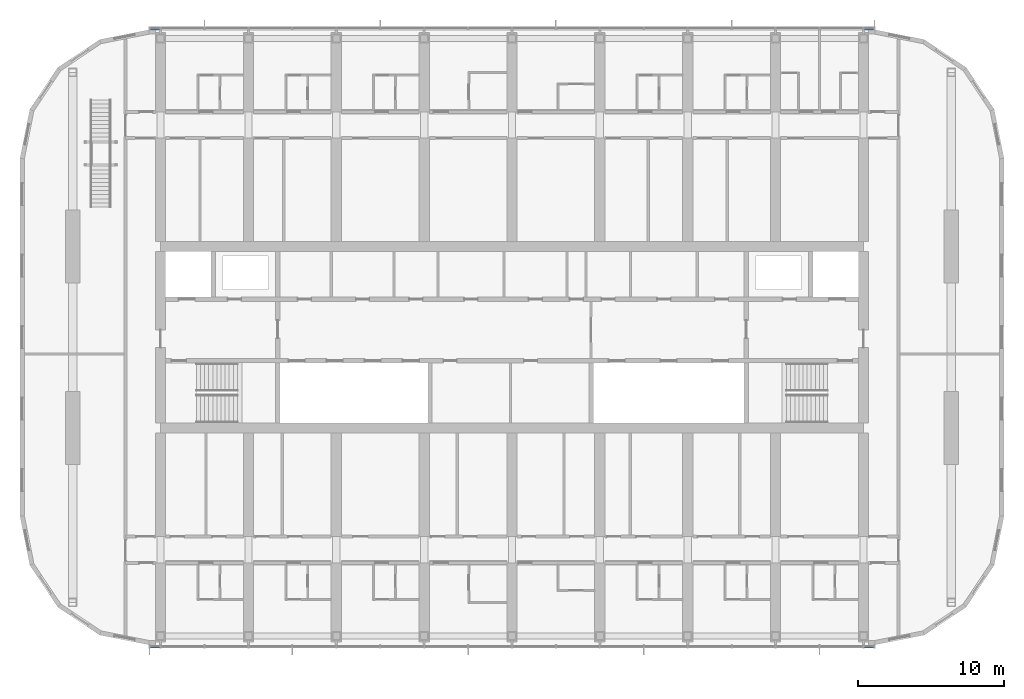
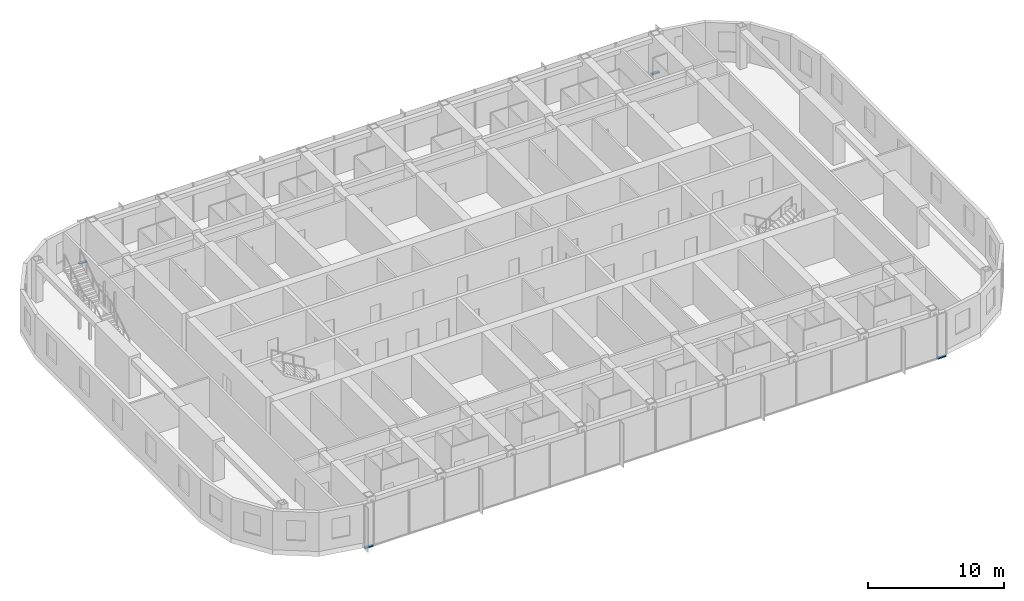
# One storey, part 8 of 27: 4 members, 2 elements without a shape of their own.
"""IFC4 building model written with IfcOpenShell, lengths in metres."""

from ifc_helpers import new_model, si_unit, direction, frame, origin, origin_2d, place, context, subcontext, project, spatial, rectangle, extrude, material, material_profile, profile_set, type_object, element, aggregate, save


model = new_model("IFC4")

# Units and contexts
model_context = context("Model", 3, precision=1e-05, world=origin(), true_north=direction((0.0, 1.0)))
body_context = subcontext(model_context, "Body", "Model", "MODEL_VIEW")
ifc_project = project(units=[si_unit("LENGTHUNIT", "METRE"), si_unit("AREAUNIT", "SQUARE_METRE"), si_unit("VOLUMEUNIT", "CUBIC_METRE"), si_unit("PLANEANGLEUNIT", "RADIAN"), si_unit("MASSUNIT", "GRAM", prefix="KILO")], contexts=[model_context])

# Site, building, storey
site_placement = place(None, origin())
site = spatial("IfcSite", under=ifc_project, at=site_placement, CompositionType="ELEMENT")
building_placement = place(site_placement, origin())
building = spatial("IfcBuilding", under=site, at=building_placement, Name="Orbita Commons", CompositionType="ELEMENT")
storey_placement = place(building_placement, frame((0.0, 0.0, 246.550048828125)))
storey = spatial("IfcBuildingStorey", under=building, at=storey_placement, Name="L61", CompositionType="ELEMENT", Elevation=246.550048828125)

# Curtain wall, members
ifc_material_1 = material(Name="Anodised aluminium frame, pale silver", Category="aluminium")
curtain_wall_type = type_object("IfcCurtainWallType", Name="Unitised curtain wall CW-U, full-height vision", PredefinedType="NOTDEFINED", material=ifc_material_1)
curtain_wall_1_placement = place(storey_placement, origin())
curtain_wall_1 = element("IfcCurtainWall", 1, at=curtain_wall_1_placement, inside=storey, type_object=curtain_wall_type, Name="Curtain wall south L61", PredefinedType="NOTDEFINED")
ifc_material_2 = material(Name="Anodised aluminium, pale silver", Category="aluminium")
ifc_material_profile = material_profile(ifc_material_2, rectangle(XDim=0.219970703125, YDim=0.10009765625, at=origin_2d()), Name="AL 220x100")
ifc_profile_set = profile_set([ifc_material_profile], Name="Anodised aluminium, pale silver")
member_type = type_object("IfcMemberType", Name="Curtain wall stack transom 220x100", PredefinedType="USERDEFINED", material=ifc_profile_set)
member_1_placement = place(storey_placement, frame((17.280029296875, 10.889892578125, -0.400146484375), z_axis=(1.0, 0.0, 0.0), x_axis=(0.0, 1.0, 0.0)))
member_1 = element("IfcMember", 2, at=member_1_placement, type_object=member_type, Name="Transom 1.1 CW-L61-S", ObjectType="TRANSOM", PredefinedType="USERDEFINED", context=body_context, shape_type="SweptSolid", body=[
    extrude(rectangle(XDim=0.219970703125, YDim=0.10009765625, at=origin_2d()), origin(), (0.0, 0.0, 1.0), 0.679931640625),
])
member_2_placement = place(storey_placement, frame((66.0400390625, 10.889892578125, -0.400146484375), z_axis=(1.0, 0.0, 0.0), x_axis=(0.0, 1.0, 0.0)))
member_2 = element("IfcMember", 3, at=member_2_placement, type_object=member_type, Name="Transom 18.1 CW-L61-S", ObjectType="TRANSOM", PredefinedType="USERDEFINED", context=body_context, shape_type="SweptSolid", body=[
    extrude(rectangle(XDim=0.219970703125, YDim=0.10009765625, at=origin_2d()), origin(), (0.0, 0.0, 1.0), 0.679931640625),
])
aggregate(curtain_wall_1, [member_1, member_2])

curtain_wall_2_placement = place(storey_placement, origin())
curtain_wall_2 = element("IfcCurtainWall", 4, at=curtain_wall_2_placement, inside=storey, type_object=curtain_wall_type, Name="Curtain wall north L61", PredefinedType="NOTDEFINED")
member_3_placement = place(storey_placement, frame((66.719970703125, 53.110107421875, -0.400146484375), z_axis=(-1.0, 0.0, 0.0), x_axis=(0.0, -1.0, 0.0)))
member_3 = element("IfcMember", 5, at=member_3_placement, type_object=member_type, Name="Transom 1.1 CW-L61-N", ObjectType="TRANSOM", PredefinedType="USERDEFINED", context=body_context, shape_type="SweptSolid", body=[
    extrude(rectangle(XDim=0.219970703125, YDim=0.10009765625, at=origin_2d()), origin(), (0.0, 0.0, 1.0), 0.679931640625),
])
member_4_placement = place(storey_placement, frame((17.9599609375, 53.110107421875, -0.400146484375), z_axis=(-1.0, 0.0, 0.0), x_axis=(0.0, -1.0, 0.0)))
member_4 = element("IfcMember", 6, at=member_4_placement, type_object=member_type, Name="Transom 18.1 CW-L61-N", ObjectType="TRANSOM", PredefinedType="USERDEFINED", context=body_context, shape_type="SweptSolid", body=[
    extrude(rectangle(XDim=0.219970703125, YDim=0.10009765625, at=origin_2d()), origin(), (0.0, 0.0, 1.0), 0.679931640625),
])
aggregate(curtain_wall_2, [member_3, member_4])

save(model, "model.ifc")
